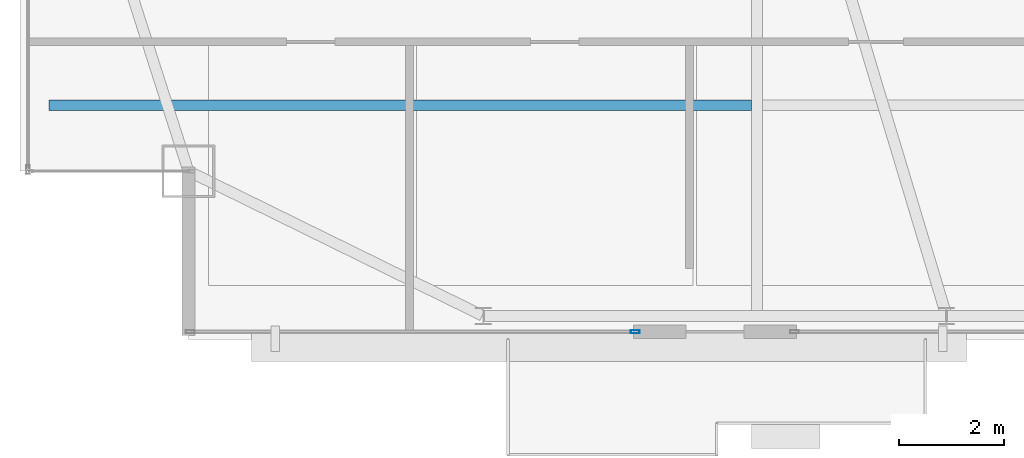
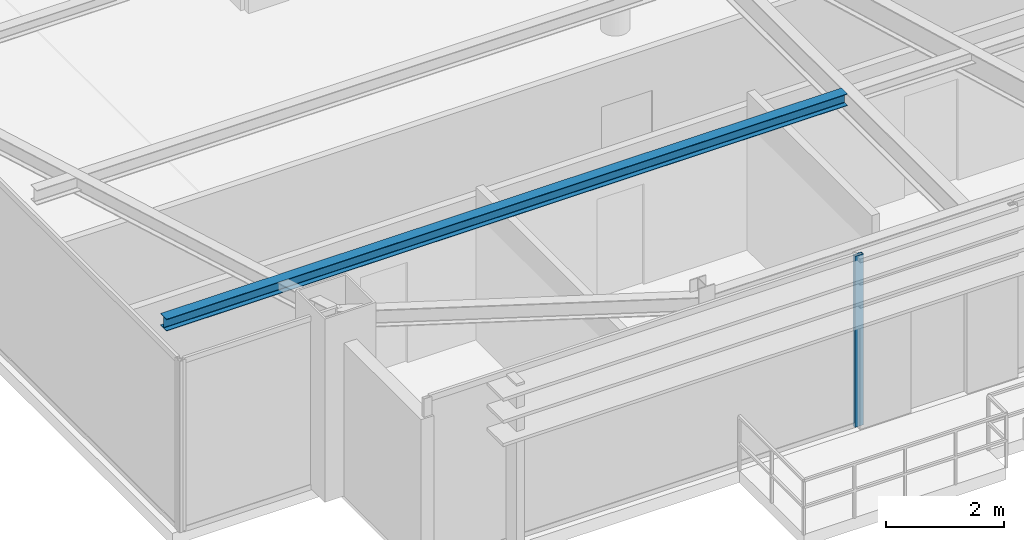
# One storey, part 4 of 24: 1 beam, 1 member, 1 element without a shape of its own.
"""IFC4 building model written with IfcOpenShell, lengths in metres."""

from ifc_helpers import new_model, si_unit, direction, frame, origin, origin_2d, place, context, subcontext, project, spatial, hollow_rectangle, i_section, extrude, source, transform, mapped, material, layer, layer_set, material_profile, profile_set, type_object, type_shapes, element, aggregate, save


model = new_model("IFC4")

# Units and contexts
model_context = context("Model", 3, precision=1e-05, world=origin(), true_north=direction((0.0, 1.0)))
body_context = subcontext(model_context, "Body", "Model", "MODEL_VIEW")
ifc_project = project(units=[si_unit("LENGTHUNIT", "METRE"), si_unit("AREAUNIT", "SQUARE_METRE"), si_unit("VOLUMEUNIT", "CUBIC_METRE"), si_unit("PLANEANGLEUNIT", "RADIAN"), si_unit("MASSUNIT", "GRAM", prefix="KILO")], contexts=[model_context])

# Site, building, storey
site_placement = place(None, origin())
site = spatial("IfcSite", under=ifc_project, at=site_placement, CompositionType="ELEMENT")
building_placement = place(site_placement, origin())
building = spatial("IfcBuilding", under=site, at=building_placement, Name="Varnel Quay Broadcast Tower", CompositionType="ELEMENT")
storey_placement = place(building_placement, frame((0.0, 0.0, 281.199951171875)))
storey = spatial("IfcBuildingStorey", under=building, at=storey_placement, Name="L70", CompositionType="ELEMENT", Elevation=281.199951171875)

# Beam
ifc_material_1 = material(Name="Structural Steel CSA G40.21 350W", Category="steel")
ifc_material_profile_1 = material_profile(ifc_material_1, i_section(OverallWidth=0.201904296875, OverallDepth=0.2470703125, WebThickness=0.00732421875, FlangeThickness=0.010986328125, FilletRadius=0.010986328125, at=origin_2d()), Name="W250X49")
ifc_profile_set_1 = profile_set([ifc_material_profile_1], Name="Structural Steel CSA G40.21 350W")
beam_type = type_object("IfcBeamType", Name="Beam_W250X49", PredefinedType="JOIST", material=ifc_profile_set_1)
shared_shape_1 = source(origin(), body_context, "Body", "SweptSolid", [
    extrude(i_section(OverallWidth=0.201904296875, OverallDepth=0.2470703125, WebThickness=0.00732421875, FlangeThickness=0.010986328125, FilletRadius=0.010986328125, at=origin_2d()), origin(), (0.0, 0.0, 1.0), 13.351318359375),
])
type_shapes(beam_type, [shared_shape_1])
beam_placement = place(storey_placement, frame((12.547607421875, 17.64990234375, 3.426513671875), z_axis=(1.0, 0.0, 0.0), x_axis=(0.0, 1.0, 0.0)))
element("IfcBeam", 1, at=beam_placement, inside=storey, type_object=beam_type, Name="L70 West Floor Joist 1", PredefinedType="JOIST", context=body_context, shape_type="MappedRepresentation", body=[
    mapped(shared_shape_1, transform((0.0, 0.0, 0.0), x_axis=(1.0, 0.0, 0.0), y_axis=(0.0, 1.0, 0.0), z_axis=(0.0, 0.0, 1.0), scale=1.0)),
])

# Curtain wall, member
ifc_material_2 = material(Name="Anodised Bronze Aluminium 6063-T6", Category="aluminium")
ifc_layer = layer(ifc_material_2, 0.18994140625, Name="Anodised Bronze Aluminium 6063-T6")
ifc_layer_set = layer_set([ifc_layer], Name="Anodised Bronze Aluminium 6063-T6")
curtain_wall_type = type_object("IfcCurtainWallType", Name="CW_UpperTower", PredefinedType="NOTDEFINED", material=ifc_layer_set)
curtain_wall_placement = place(storey_placement, origin())
curtain_wall = element("IfcCurtainWall", 2, at=curtain_wall_placement, inside=storey, type_object=curtain_wall_type, Name="L70 South Unitised Curtain Wall 1", PredefinedType="NOTDEFINED")
ifc_material_profile_2 = material_profile(ifc_material_2, hollow_rectangle(XDim=0.06494140625, YDim=0.1650390625, WallThickness=0.00341796875, at=origin_2d()), Name="ALU65X165X3.5")
ifc_profile_set_2 = profile_set([ifc_material_profile_2], Name="Anodised Bronze Aluminium 6063-T6")
member_type = type_object("IfcMemberType", Name="Mull_CWS-03", PredefinedType="MULLION", material=ifc_profile_set_2)
shared_shape_2 = source(origin(), body_context, "Body", "SweptSolid", [
    extrude(hollow_rectangle(XDim=0.06494140625, YDim=0.1650390625, WallThickness=0.00341796875, at=origin_2d()), origin(), (0.0, 0.0, 1.0), 3.550048828125),
])
type_shapes(member_type, [shared_shape_2])
member_placement = place(storey_placement, frame((23.6875, 13.35009765625, 0.0), z_axis=(0.0, 0.0, 1.0), x_axis=(0.0, 1.0, 0.0)))
member = element("IfcMember", 3, at=member_placement, type_object=member_type, Name="CWS-03 mullion 2", PredefinedType="MULLION", context=body_context, shape_type="MappedRepresentation", body=[
    mapped(shared_shape_2, transform((0.0, 0.0, 0.0), x_axis=(1.0, 0.0, 0.0), y_axis=(0.0, 1.0, 0.0), z_axis=(0.0, 0.0, 1.0), scale=1.0)),
])
aggregate(curtain_wall, [member])

save(model, "model.ifc")
